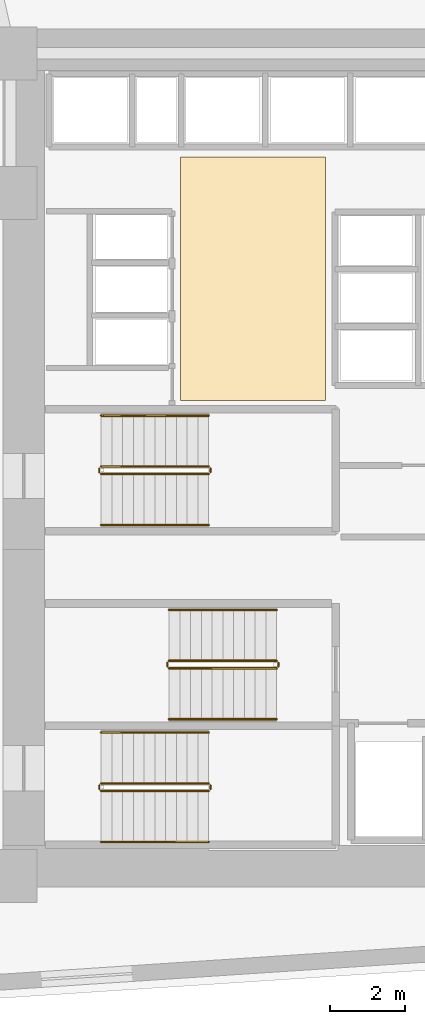
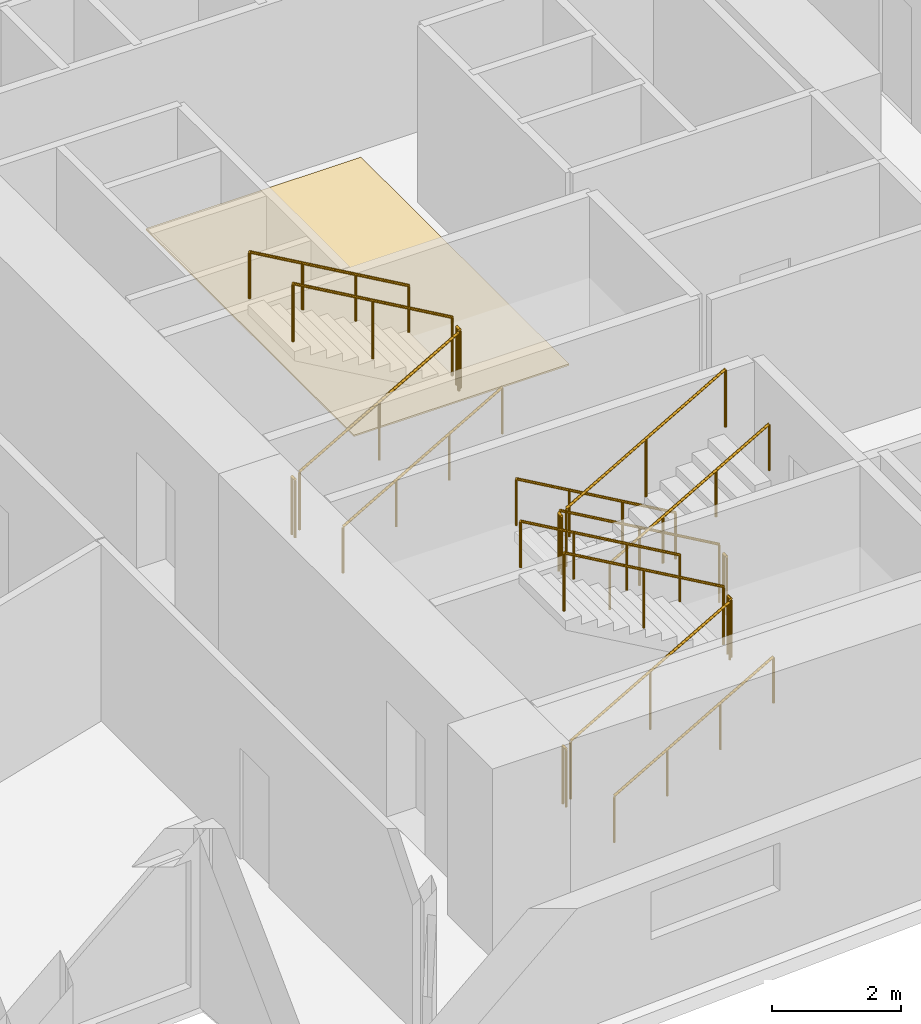
# One storey, part 14 of 15: 18 railings, 1 covering.
"""IFC4 building model written with IfcOpenShell, lengths in metres."""

from ifc_helpers import new_model, si_unit, direction, frame, origin, origin_2d, place, context, subcontext, project, spatial, polyline, circle, outline, extrude, material, layer, layer_set, type_object, element, save


model = new_model("IFC4")

# Units and contexts
model_context = context("Model", 3, precision=1e-05, world=origin(), true_north=direction((0.0, 1.0)))
body_context = subcontext(model_context, "Body", "Model", "MODEL_VIEW")
ifc_project = project(units=[si_unit("LENGTHUNIT", "METRE"), si_unit("AREAUNIT", "SQUARE_METRE"), si_unit("VOLUMEUNIT", "CUBIC_METRE"), si_unit("PLANEANGLEUNIT", "RADIAN"), si_unit("MASSUNIT", "GRAM", prefix="KILO")], contexts=[model_context])

# Site, building, storey
site_placement = place(None, origin())
site = spatial("IfcSite", under=ifc_project, at=site_placement, CompositionType="ELEMENT")
building_placement = place(site_placement, origin())
building = spatial("IfcBuilding", under=site, at=building_placement, Name="Narakoshi Arena Tower", CompositionType="ELEMENT")
storey_placement = place(building_placement, frame((0.0, 0.0, 70.5)))
storey = spatial("IfcBuildingStorey", under=building, at=storey_placement, Name="L18", CompositionType="ELEMENT", Elevation=70.5)

# Covering
ifc_material_1 = material(Name="Honed granite stone paving", Category="masonry")
ifc_layer = layer(ifc_material_1, 0.030029296875)
ifc_layer_set = layer_set([ifc_layer], Name="Honed granite stone paving")
covering_type = type_object("IfcCoveringType", Name="COV-FLR-ST30", PredefinedType="FLOORING", material=ifc_layer_set)
covering_placement = place(storey_placement, origin())
element("IfcCovering", 1, at=covering_placement, inside=storey, type_object=covering_type, Name="L18 Lift Lobby Granite Flooring", PredefinedType="FLOORING", context=body_context, shape_type="SweptSolid", body=[
    extrude(outline(polyline([(76.5, 47.300048828125), (80.35009765625, 47.300048828125), (80.35009765625, 53.75), (76.5, 53.75), (76.5, 47.300048828125)])), origin(), (0.0, 0.0, 1.0), 0.030029296875),
])

# Railings
ifc_material_2 = material(Name="Clear low-iron laminated structural glass", Category="glass")
railing_type_1 = type_object("IfcRailingType", Name="RL-BAL-1100", PredefinedType="BALUSTRADE", material=ifc_material_2)
railing_1_placement = place(storey_placement, frame((74.39990234375, 36.949951171875, 0.16357421875)))
element("IfcRailing", 2, at=railing_1_placement, inside=storey, type_object=railing_type_1, Name="L18 ST1 stair guard 1", PredefinedType="BALUSTRADE", context=body_context, shape_type="SweptSolid", body=[
    extrude(circle(Radius=0.02392578125, at=origin_2d()), frame((0.0, 0.0, 1.09619140625), z_axis=(0.86721270334, 0.0, 0.497937874806), x_axis=(0.0, 1.0, 0.0)), (0.0, 0.0, 1.0), 3.28662109375),
    extrude(circle(Radius=0.02099609375, at=origin_2d()), origin(), (0.0, 0.0, 1.0), 1.072021484375),
    extrude(circle(Radius=0.02099609375, at=origin_2d()), frame((1.425048828125, 0.0, 0.818359375)), (0.0, 0.0, 1.0), 1.072021484375),
    extrude(circle(Radius=0.02099609375, at=origin_2d()), frame((2.85009765625, 0.0, 1.636474609375)), (0.0, 0.0, 1.0), 1.072021484375),
])
railing_2_placement = place(storey_placement, frame((77.300048828125, 37.0, 1.800048828125)))
element("IfcRailing", 3, at=railing_2_placement, inside=storey, type_object=railing_type_1, Name="L18 ST1 stair guard 2", PredefinedType="BALUSTRADE", context=body_context, shape_type="SweptSolid", body=[
    extrude(circle(Radius=0.02392578125, at=origin_2d()), frame((0.0, 0.0, 1.09619140625), z_axis=(0.0, 1.0, 0.0), x_axis=(-1.0, 0.0, 0.0)), (0.0, 0.0, 1.0), 0.10009765625),
    extrude(circle(Radius=0.02099609375, at=origin_2d()), origin(), (0.0, 0.0, 1.0), 1.072021484375),
    extrude(circle(Radius=0.02099609375, at=origin_2d()), frame((0.0, 0.10009765625, 0.0)), (0.0, 0.0, 1.0), 1.072021484375),
])
railing_3_placement = place(storey_placement, frame((77.25, 37.14990234375, 1.963623046875)))
element("IfcRailing", 4, at=railing_3_placement, inside=storey, type_object=railing_type_1, Name="L18 ST1 stair guard 3", PredefinedType="BALUSTRADE", context=body_context, shape_type="SweptSolid", body=[
    extrude(circle(Radius=0.02392578125, at=origin_2d()), frame((0.0, 0.0, 1.09619140625), z_axis=(-0.86721270334, 0.0, 0.497937874806), x_axis=(0.0, -1.0, 0.0)), (0.0, 0.0, 1.0), 3.28662109375),
    extrude(circle(Radius=0.02099609375, at=origin_2d()), origin(), (0.0, 0.0, 1.0), 1.072021484375),
    extrude(circle(Radius=0.02099609375, at=origin_2d()), frame((-1.425048828125, 0.0, 0.818359375)), (0.0, 0.0, 1.0), 1.072021484375),
    extrude(circle(Radius=0.02099609375, at=origin_2d()), frame((-2.85009765625, 0.0, 1.636474609375)), (0.0, 0.0, 1.0), 1.072021484375),
])
railing_4_placement = place(storey_placement, frame((74.35009765625, 37.0, 0.0)))
element("IfcRailing", 5, at=railing_4_placement, inside=storey, type_object=railing_type_1, Name="L18 ST1 stair guard 4", PredefinedType="BALUSTRADE", context=body_context, shape_type="SweptSolid", body=[
    extrude(circle(Radius=0.02392578125, at=origin_2d()), frame((0.0, 0.0, 1.09619140625), z_axis=(0.0, 1.0, 0.0), x_axis=(-1.0, 0.0, 0.0)), (0.0, 0.0, 1.0), 0.10009765625),
    extrude(circle(Radius=0.02099609375, at=origin_2d()), origin(), (0.0, 0.0, 1.0), 1.072021484375),
    extrude(circle(Radius=0.02099609375, at=origin_2d()), frame((0.0, 0.10009765625, 0.0)), (0.0, 0.0, 1.0), 1.072021484375),
])
railing_5_placement = place(storey_placement, frame((79.050048828125, 40.39990234375, 0.16357421875)))
element("IfcRailing", 6, at=railing_5_placement, inside=storey, type_object=railing_type_1, Name="L18 ST2 stair guard 1", PredefinedType="BALUSTRADE", context=body_context, shape_type="SweptSolid", body=[
    extrude(circle(Radius=0.02392578125, at=origin_2d()), frame((0.0, 0.0, 1.09619140625), z_axis=(-0.86721270334, 0.0, 0.497937874806), x_axis=(0.0, -1.0, 0.0)), (0.0, 0.0, 1.0), 3.28662109375),
    extrude(circle(Radius=0.02099609375, at=origin_2d()), origin(), (0.0, 0.0, 1.0), 1.072021484375),
    extrude(circle(Radius=0.02099609375, at=origin_2d()), frame((-1.425048828125, 0.0, 0.818359375)), (0.0, 0.0, 1.0), 1.072021484375),
    extrude(circle(Radius=0.02099609375, at=origin_2d()), frame((-2.85009765625, 0.0, 1.636474609375)), (0.0, 0.0, 1.0), 1.072021484375),
])
railing_6_placement = place(storey_placement, frame((76.14990234375, 40.35009765625, 1.800048828125)))
element("IfcRailing", 7, at=railing_6_placement, inside=storey, type_object=railing_type_1, Name="L18 ST2 stair guard 2", PredefinedType="BALUSTRADE", context=body_context, shape_type="SweptSolid", body=[
    extrude(circle(Radius=0.02392578125, at=origin_2d()), frame((0.0, 0.0, 1.09619140625), z_axis=(0.0, -1.0, 0.0), x_axis=(1.0, 0.0, 0.0)), (0.0, 0.0, 1.0), 0.10009765625),
    extrude(circle(Radius=0.02099609375, at=origin_2d()), origin(), (0.0, 0.0, 1.0), 1.072021484375),
    extrude(circle(Radius=0.02099609375, at=origin_2d()), frame((0.0, -0.10009765625, 0.0)), (0.0, 0.0, 1.0), 1.072021484375),
])
railing_7_placement = place(storey_placement, frame((76.199951171875, 40.199951171875, 1.963623046875)))
element("IfcRailing", 8, at=railing_7_placement, inside=storey, type_object=railing_type_1, Name="L18 ST2 stair guard 3", PredefinedType="BALUSTRADE", context=body_context, shape_type="SweptSolid", body=[
    extrude(circle(Radius=0.02392578125, at=origin_2d()), frame((0.0, 0.0, 1.09619140625), z_axis=(0.86721270334, 0.0, 0.497937874806), x_axis=(0.0, 1.0, 0.0)), (0.0, 0.0, 1.0), 3.28662109375),
    extrude(circle(Radius=0.02099609375, at=origin_2d()), origin(), (0.0, 0.0, 1.0), 1.072021484375),
    extrude(circle(Radius=0.02099609375, at=origin_2d()), frame((1.425048828125, 0.0, 0.818359375)), (0.0, 0.0, 1.0), 1.072021484375),
    extrude(circle(Radius=0.02099609375, at=origin_2d()), frame((2.85009765625, 0.0, 1.636474609375)), (0.0, 0.0, 1.0), 1.072021484375),
])
railing_8_placement = place(storey_placement, frame((79.10009765625, 40.35009765625, 0.0)))
element("IfcRailing", 9, at=railing_8_placement, inside=storey, type_object=railing_type_1, Name="L18 ST2 stair guard 4", PredefinedType="BALUSTRADE", context=body_context, shape_type="SweptSolid", body=[
    extrude(circle(Radius=0.02392578125, at=origin_2d()), frame((0.0, 0.0, 1.09619140625), z_axis=(0.0, -1.0, 0.0), x_axis=(1.0, 0.0, 0.0)), (0.0, 0.0, 1.0), 0.10009765625),
    extrude(circle(Radius=0.02099609375, at=origin_2d()), origin(), (0.0, 0.0, 1.0), 1.072021484375),
    extrude(circle(Radius=0.02099609375, at=origin_2d()), frame((0.0, -0.10009765625, 0.0)), (0.0, 0.0, 1.0), 1.072021484375),
])
railing_9_placement = place(storey_placement, frame((74.39990234375, 45.35009765625, 0.16357421875)))
element("IfcRailing", 10, at=railing_9_placement, inside=storey, type_object=railing_type_1, Name="L18 ST3 stair guard 1", PredefinedType="BALUSTRADE", context=body_context, shape_type="SweptSolid", body=[
    extrude(circle(Radius=0.02392578125, at=origin_2d()), frame((0.0, 0.0, 1.09619140625), z_axis=(0.86721270334, 0.0, 0.497937874806), x_axis=(0.0, 1.0, 0.0)), (0.0, 0.0, 1.0), 3.28662109375),
    extrude(circle(Radius=0.02099609375, at=origin_2d()), origin(), (0.0, 0.0, 1.0), 1.072021484375),
    extrude(circle(Radius=0.02099609375, at=origin_2d()), frame((1.425048828125, 0.0, 0.818359375)), (0.0, 0.0, 1.0), 1.072021484375),
    extrude(circle(Radius=0.02099609375, at=origin_2d()), frame((2.85009765625, 0.0, 1.636474609375)), (0.0, 0.0, 1.0), 1.072021484375),
])
railing_10_placement = place(storey_placement, frame((77.300048828125, 45.39990234375, 1.800048828125)))
element("IfcRailing", 11, at=railing_10_placement, inside=storey, type_object=railing_type_1, Name="L18 ST3 stair guard 2", PredefinedType="BALUSTRADE", context=body_context, shape_type="SweptSolid", body=[
    extrude(circle(Radius=0.02392578125, at=origin_2d()), frame((0.0, 0.0, 1.09619140625), z_axis=(0.0, 1.0, 0.0), x_axis=(-1.0, 0.0, 0.0)), (0.0, 0.0, 1.0), 0.10009765625),
    extrude(circle(Radius=0.02099609375, at=origin_2d()), origin(), (0.0, 0.0, 1.0), 1.072021484375),
    extrude(circle(Radius=0.02099609375, at=origin_2d()), frame((0.0, 0.10009765625, 0.0)), (0.0, 0.0, 1.0), 1.072021484375),
])
railing_11_placement = place(storey_placement, frame((77.25, 45.550048828125, 1.963623046875)))
element("IfcRailing", 12, at=railing_11_placement, inside=storey, type_object=railing_type_1, Name="L18 ST3 stair guard 3", PredefinedType="BALUSTRADE", context=body_context, shape_type="SweptSolid", body=[
    extrude(circle(Radius=0.02392578125, at=origin_2d()), frame((0.0, 0.0, 1.09619140625), z_axis=(-0.86721270334, 0.0, 0.497937874806), x_axis=(0.0, -1.0, 0.0)), (0.0, 0.0, 1.0), 3.28662109375),
    extrude(circle(Radius=0.02099609375, at=origin_2d()), origin(), (0.0, 0.0, 1.0), 1.072021484375),
    extrude(circle(Radius=0.02099609375, at=origin_2d()), frame((-1.425048828125, 0.0, 0.818359375)), (0.0, 0.0, 1.0), 1.072021484375),
    extrude(circle(Radius=0.02099609375, at=origin_2d()), frame((-2.85009765625, 0.0, 1.636474609375)), (0.0, 0.0, 1.0), 1.072021484375),
])
railing_12_placement = place(storey_placement, frame((74.35009765625, 45.39990234375, 0.0)))
element("IfcRailing", 13, at=railing_12_placement, inside=storey, type_object=railing_type_1, Name="L18 ST3 stair guard 4", PredefinedType="BALUSTRADE", context=body_context, shape_type="SweptSolid", body=[
    extrude(circle(Radius=0.02392578125, at=origin_2d()), frame((0.0, 0.0, 1.09619140625), z_axis=(0.0, 1.0, 0.0), x_axis=(-1.0, 0.0, 0.0)), (0.0, 0.0, 1.0), 0.10009765625),
    extrude(circle(Radius=0.02099609375, at=origin_2d()), origin(), (0.0, 0.0, 1.0), 1.072021484375),
    extrude(circle(Radius=0.02099609375, at=origin_2d()), frame((0.0, 0.10009765625, 0.0)), (0.0, 0.0, 1.0), 1.072021484375),
])
ifc_material_3 = material(Name="Brushed bronze stainless steel", Category="steel")
railing_type_2 = type_object("IfcRailingType", Name="RL-HND-900", PredefinedType="HANDRAIL", material=ifc_material_3)
railing_13_placement = place(storey_placement, frame((74.39990234375, 35.60009765625, 0.16357421875)))
element("IfcRailing", 14, at=railing_13_placement, inside=storey, type_object=railing_type_2, Name="L18 ST1 stair handrail 1", PredefinedType="HANDRAIL", context=body_context, shape_type="SweptSolid", body=[
    extrude(circle(Radius=0.02392578125, at=origin_2d()), frame((0.0, 0.0, 0.8759765625), z_axis=(0.86721270334, 0.0, 0.497937874806), x_axis=(0.0, 1.0, 0.0)), (0.0, 0.0, 1.0), 3.28662109375),
    extrude(circle(Radius=0.02099609375, at=origin_2d()), origin(), (0.0, 0.0, 1.0), 0.851806640625),
    extrude(circle(Radius=0.02099609375, at=origin_2d()), frame((0.949951171875, 0.0, 0.54541015625)), (0.0, 0.0, 1.0), 0.851806640625),
    extrude(circle(Radius=0.02099609375, at=origin_2d()), frame((1.900146484375, 0.0, 1.091064453125)), (0.0, 0.0, 1.0), 0.851806640625),
    extrude(circle(Radius=0.02099609375, at=origin_2d()), frame((2.85009765625, 0.0, 1.636474609375)), (0.0, 0.0, 1.0), 0.851806640625),
])
for number, where, name in (
    (15, (77.25, 38.5, 1.963623046875), "L18 ST1 stair handrail 2"),
    (16, (79.050048828125, 41.75, 0.16357421875), "L18 ST2 stair handrail 1"),
):
    element("IfcRailing", number, at=place(storey_placement, frame(where)), inside=storey, type_object=railing_type_2, Name=name, PredefinedType="HANDRAIL", context=body_context, shape_type="SweptSolid", body=[
        extrude(circle(Radius=0.02392578125, at=origin_2d()), frame((0.0, 0.0, 0.8759765625), z_axis=(-0.86721270334, 0.0, 0.497937874806), x_axis=(0.0, -1.0, 0.0)), (0.0, 0.0, 1.0), 3.28662109375),
        extrude(circle(Radius=0.02099609375, at=origin_2d()), origin(), (0.0, 0.0, 1.0), 0.851806640625),
        extrude(circle(Radius=0.02099609375, at=origin_2d()), frame((-0.949951171875, 0.0, 0.54541015625)), (0.0, 0.0, 1.0), 0.851806640625),
        extrude(circle(Radius=0.02099609375, at=origin_2d()), frame((-1.900146484375, 0.0, 1.091064453125)), (0.0, 0.0, 1.0), 0.851806640625),
        extrude(circle(Radius=0.02099609375, at=origin_2d()), frame((-2.85009765625, 0.0, 1.636474609375)), (0.0, 0.0, 1.0), 0.851806640625),
    ])
for number, where, name in (
    (17, (76.199951171875, 38.85009765625, 1.963623046875), "L18 ST2 stair handrail 2"),
    (18, (74.39990234375, 44.0, 0.16357421875), "L18 ST3 stair handrail 1"),
):
    element("IfcRailing", number, at=place(storey_placement, frame(where)), inside=storey, type_object=railing_type_2, Name=name, PredefinedType="HANDRAIL", context=body_context, shape_type="SweptSolid", body=[
        extrude(circle(Radius=0.02392578125, at=origin_2d()), frame((0.0, 0.0, 0.8759765625), z_axis=(0.86721270334, 0.0, 0.497937874806), x_axis=(0.0, 1.0, 0.0)), (0.0, 0.0, 1.0), 3.28662109375),
        extrude(circle(Radius=0.02099609375, at=origin_2d()), origin(), (0.0, 0.0, 1.0), 0.851806640625),
        extrude(circle(Radius=0.02099609375, at=origin_2d()), frame((0.949951171875, 0.0, 0.54541015625)), (0.0, 0.0, 1.0), 0.851806640625),
        extrude(circle(Radius=0.02099609375, at=origin_2d()), frame((1.900146484375, 0.0, 1.091064453125)), (0.0, 0.0, 1.0), 0.851806640625),
        extrude(circle(Radius=0.02099609375, at=origin_2d()), frame((2.85009765625, 0.0, 1.636474609375)), (0.0, 0.0, 1.0), 0.851806640625),
    ])
railing_14_placement = place(storey_placement, frame((77.25, 46.89990234375, 1.963623046875)))
element("IfcRailing", 19, at=railing_14_placement, inside=storey, type_object=railing_type_2, Name="L18 ST3 stair handrail 2", PredefinedType="HANDRAIL", context=body_context, shape_type="SweptSolid", body=[
    extrude(circle(Radius=0.02392578125, at=origin_2d()), frame((0.0, 0.0, 0.8759765625), z_axis=(-0.86721270334, 0.0, 0.497937874806), x_axis=(0.0, -1.0, 0.0)), (0.0, 0.0, 1.0), 3.28662109375),
    extrude(circle(Radius=0.02099609375, at=origin_2d()), origin(), (0.0, 0.0, 1.0), 0.851806640625),
    extrude(circle(Radius=0.02099609375, at=origin_2d()), frame((-0.949951171875, 0.0, 0.54541015625)), (0.0, 0.0, 1.0), 0.851806640625),
    extrude(circle(Radius=0.02099609375, at=origin_2d()), frame((-1.900146484375, 0.0, 1.091064453125)), (0.0, 0.0, 1.0), 0.851806640625),
    extrude(circle(Radius=0.02099609375, at=origin_2d()), frame((-2.85009765625, 0.0, 1.636474609375)), (0.0, 0.0, 1.0), 0.851806640625),
])

save(model, "model.ifc")
